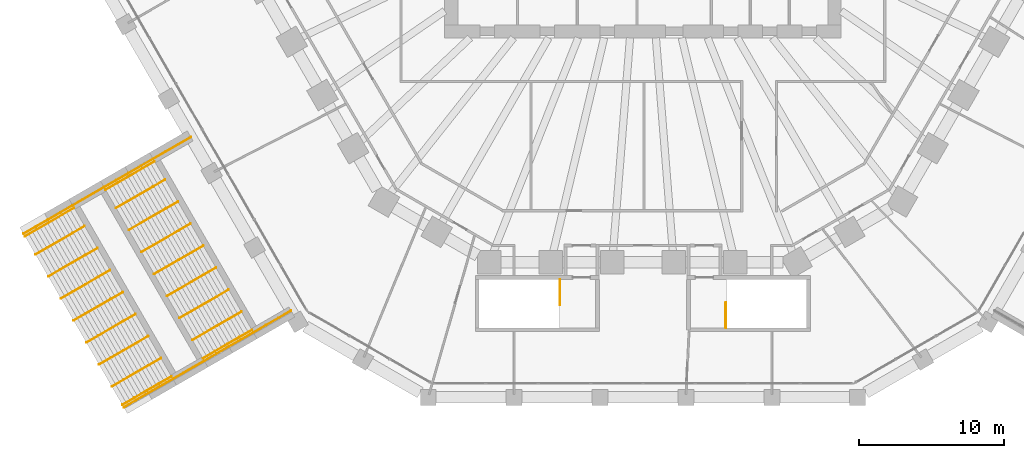
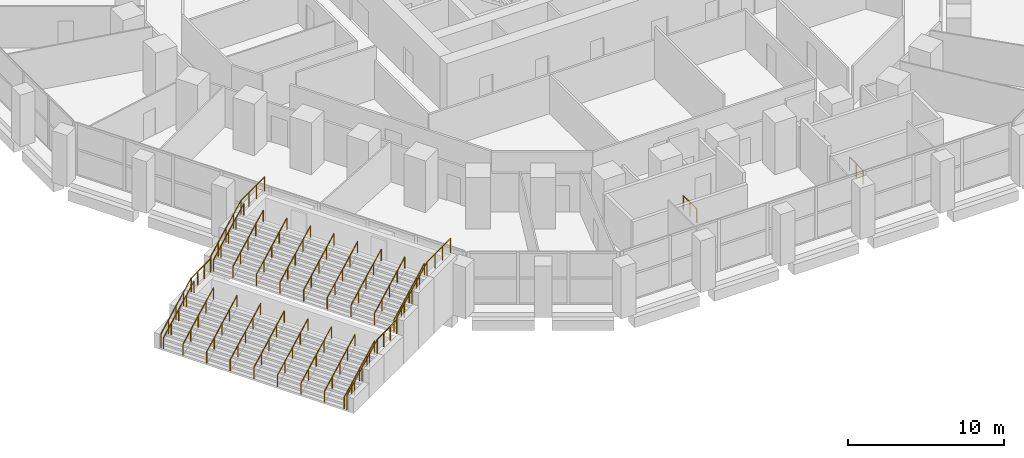
# One storey, part 32 of 38: 28 railings.
"""IFC4 building model written with IfcOpenShell, lengths in metres."""

from ifc_helpers import new_model, si_unit, direction, frame, origin, origin_2d, place, context, subcontext, project, spatial, circle, extrude, material, type_object, element, save


model = new_model("IFC4")

# Units and contexts
model_context = context("Model", 3, precision=1e-05, world=origin(), true_north=direction((0.0, 1.0)))
body_context = subcontext(model_context, "Body", "Model", "MODEL_VIEW")
ifc_project = project(units=[si_unit("LENGTHUNIT", "METRE"), si_unit("AREAUNIT", "SQUARE_METRE"), si_unit("VOLUMEUNIT", "CUBIC_METRE"), si_unit("PLANEANGLEUNIT", "RADIAN"), si_unit("MASSUNIT", "GRAM", prefix="KILO")], contexts=[model_context])

# Site, building, storey
site_placement = place(None, origin())
site = spatial("IfcSite", under=ifc_project, at=site_placement, CompositionType="ELEMENT")
building_placement = place(site_placement, origin())
building = spatial("IfcBuilding", under=site, at=building_placement, Name="Frailejon Research Tower", CompositionType="ELEMENT")
storey_placement = place(building_placement, frame((0.0, 0.0, 10.199951171875)))
storey = spatial("IfcBuildingStorey", under=building, at=storey_placement, Name="L02", CompositionType="ELEMENT", Elevation=10.199951171875)

# Railings
ifc_material_1 = material(Name="Galvanised steel balustrade", Category="steel")
railing_type_1 = type_object("IfcRailingType", Name="Broad stair guard 1100", PredefinedType="GUARDRAIL", material=ifc_material_1)
railing_1_placement = place(storey_placement, frame((-31.126953125, -18.086669921875, 4.400146484375)))
element("IfcRailing", 1, at=railing_1_placement, inside=storey, type_object=railing_type_1, Name="Broad stair W3 landing guard", PredefinedType="GUARDRAIL", context=body_context, shape_type="SweptSolid", body=[
    extrude(circle(Radius=0.02392578125, at=origin_2d()), frame((0.0, 0.0, 1.076171875), z_axis=(-0.866031096941, -0.499990139034, 0.0), x_axis=(0.499990139034, -0.866031096941, 0.0)), (0.0, 0.0, 1.0), 3.0),
    extrude(circle(Radius=0.02099609375, at=origin_2d()), origin(), (0.0, 0.0, 1.0), 1.052001953125),
    extrude(circle(Radius=0.02099609375, at=origin_2d()), frame((-0.865966796875, -0.5, 0.0)), (0.0, 0.0, 1.0), 1.052001953125),
    extrude(circle(Radius=0.02099609375, at=origin_2d()), frame((-1.732177734375, -1.0, 0.0)), (0.0, 0.0, 1.0), 1.052001953125),
    extrude(circle(Radius=0.02099609375, at=origin_2d()), frame((-2.59814453125, -1.5, 0.0)), (0.0, 0.0, 1.0), 1.052001953125),
])
railing_2_placement = place(storey_placement, frame((-37.1025390625, -21.53662109375, 2.199951171875)))
element("IfcRailing", 2, at=railing_2_placement, inside=storey, type_object=railing_type_1, Name="Broad stair W3 landing guard", PredefinedType="GUARDRAIL", context=body_context, shape_type="SweptSolid", body=[
    extrude(circle(Radius=0.02392578125, at=origin_2d()), frame((0.0, 0.0, 1.076171875), z_axis=(-0.866022959057, -0.500004234368, 0.0), x_axis=(0.500004234368, -0.866022959057, 0.0)), (0.0, 0.0, 1.0), 2.5),
    extrude(circle(Radius=0.02099609375, at=origin_2d()), origin(), (0.0, 0.0, 1.0), 1.052001953125),
    extrude(circle(Radius=0.02099609375, at=origin_2d()), frame((-0.7216796875, -0.416748046875, 0.0)), (0.0, 0.0, 1.0), 1.052001953125),
    extrude(circle(Radius=0.02099609375, at=origin_2d()), frame((-1.443359375, -0.833251953125, 0.0)), (0.0, 0.0, 1.0), 1.052001953125),
    extrude(circle(Radius=0.02099609375, at=origin_2d()), frame((-2.1650390625, -1.25, 0.0)), (0.0, 0.0, 1.0), 1.052001953125),
])
railing_3_placement = place(storey_placement, frame((-24.226806640625, -30.037841796875, 4.400146484375)))
element("IfcRailing", 3, at=railing_3_placement, inside=storey, type_object=railing_type_1, Name="Broad stair W3 landing guard", PredefinedType="GUARDRAIL", context=body_context, shape_type="SweptSolid", body=[
    extrude(circle(Radius=0.02392578125, at=origin_2d()), frame((0.0, 0.0, 1.076171875), z_axis=(-0.866031096941, -0.499990139034, 0.0), x_axis=(0.499990139034, -0.866031096941, 0.0)), (0.0, 0.0, 1.0), 3.0),
    extrude(circle(Radius=0.02099609375, at=origin_2d()), origin(), (0.0, 0.0, 1.0), 1.052001953125),
    extrude(circle(Radius=0.02099609375, at=origin_2d()), frame((-0.865966796875, -0.5, 0.0)), (0.0, 0.0, 1.0), 1.052001953125),
    extrude(circle(Radius=0.02099609375, at=origin_2d()), frame((-1.732177734375, -1.0, 0.0)), (0.0, 0.0, 1.0), 1.052001953125),
    extrude(circle(Radius=0.02099609375, at=origin_2d()), frame((-2.59814453125, -1.5, 0.0)), (0.0, 0.0, 1.0), 1.052001953125),
])
railing_4_placement = place(storey_placement, frame((-30.202392578125, -33.48779296875, 2.199951171875)))
element("IfcRailing", 4, at=railing_4_placement, inside=storey, type_object=railing_type_1, Name="Broad stair W3 landing guard", PredefinedType="GUARDRAIL", context=body_context, shape_type="SweptSolid", body=[
    extrude(circle(Radius=0.02392578125, at=origin_2d()), frame((0.0, 0.0, 1.076171875), z_axis=(-0.866047370643, -0.499961950354, 0.0), x_axis=(0.499961950354, -0.866047370643, 0.0)), (0.0, 0.0, 1.0), 2.500244140625),
    extrude(circle(Radius=0.02099609375, at=origin_2d()), origin(), (0.0, 0.0, 1.0), 1.052001953125),
    extrude(circle(Radius=0.02099609375, at=origin_2d()), frame((-0.7216796875, -0.416748046875, 0.0)), (0.0, 0.0, 1.0), 1.052001953125),
    extrude(circle(Radius=0.02099609375, at=origin_2d()), frame((-1.443603515625, -0.833251953125, 0.0)), (0.0, 0.0, 1.0), 1.052001953125),
    extrude(circle(Radius=0.02099609375, at=origin_2d()), frame((-2.165283203125, -1.25, 0.0)), (0.0, 0.0, 1.0), 1.052001953125),
])
railing_5_placement = place(storey_placement, frame((-37.1025390625, -21.53662109375, 2.357177734375)))
element("IfcRailing", 5, at=railing_5_placement, inside=storey, type_object=railing_type_1, Name="Broad stair W3 flight guard", PredefinedType="GUARDRAIL", context=body_context, shape_type="SweptSolid", body=[
    extrude(circle(Radius=0.02392578125, at=origin_2d()), frame((0.0, 0.0, 1.076171875), z_axis=(0.767141967579, 0.442906093325, 0.464033828589), x_axis=(-0.499997012787, 0.866027128446, 0.0)), (0.0, 0.0, 1.0), 4.402587890625),
    extrude(circle(Radius=0.02099609375, at=origin_2d()), origin(), (0.0, 0.0, 1.0), 1.052001953125),
    extrude(circle(Radius=0.02099609375, at=origin_2d()), frame((0.84423828125, 0.487548828125, 0.5107421875)), (0.0, 0.0, 1.0), 1.052001953125),
    extrude(circle(Radius=0.02099609375, at=origin_2d()), frame((1.688720703125, 0.97509765625, 1.021484375)), (0.0, 0.0, 1.0), 1.052001953125),
    extrude(circle(Radius=0.02099609375, at=origin_2d()), frame((2.533203125, 1.46240234375, 1.5322265625)), (0.0, 0.0, 1.0), 1.052001953125),
    extrude(circle(Radius=0.02099609375, at=origin_2d()), frame((3.37744140625, 1.949951171875, 2.04296875)), (0.0, 0.0, 1.0), 1.052001953125),
])
railing_6_placement = place(storey_placement, frame((-42.64501953125, -24.736572265625, 0.1572265625)))
element("IfcRailing", 6, at=railing_6_placement, inside=storey, type_object=railing_type_1, Name="Broad stair W3 flight guard", PredefinedType="GUARDRAIL", context=body_context, shape_type="SweptSolid", body=[
    extrude(circle(Radius=0.02392578125, at=origin_2d()), frame((0.0, 0.0, 1.076171875), z_axis=(0.767161707443, 0.44291749005, 0.463990314166), x_axis=(-0.499997012787, 0.866027128446, 0.0)), (0.0, 0.0, 1.0), 4.402587890625),
    extrude(circle(Radius=0.02099609375, at=origin_2d()), origin(), (0.0, 0.0, 1.0), 1.052001953125),
    extrude(circle(Radius=0.02099609375, at=origin_2d()), frame((0.84423828125, 0.487548828125, 0.5107421875)), (0.0, 0.0, 1.0), 1.052001953125),
    extrude(circle(Radius=0.02099609375, at=origin_2d()), frame((1.688720703125, 0.97509765625, 1.021484375)), (0.0, 0.0, 1.0), 1.052001953125),
    extrude(circle(Radius=0.02099609375, at=origin_2d()), frame((2.533203125, 1.46240234375, 1.531982421875)), (0.0, 0.0, 1.0), 1.052001953125),
    extrude(circle(Radius=0.02099609375, at=origin_2d()), frame((3.37744140625, 1.949951171875, 2.042724609375)), (0.0, 0.0, 1.0), 1.052001953125),
])
railing_7_placement = place(storey_placement, frame((-30.202392578125, -33.48779296875, 2.357177734375)))
element("IfcRailing", 7, at=railing_7_placement, inside=storey, type_object=railing_type_1, Name="Broad stair W3 flight guard", PredefinedType="GUARDRAIL", context=body_context, shape_type="SweptSolid", body=[
    extrude(circle(Radius=0.02392578125, at=origin_2d()), frame((0.0, 0.0, 1.076171875), z_axis=(0.767141967579, 0.442906093325, 0.464033828589), x_axis=(-0.499997012787, 0.866027128446, 0.0)), (0.0, 0.0, 1.0), 4.402587890625),
    extrude(circle(Radius=0.02099609375, at=origin_2d()), origin(), (0.0, 0.0, 1.0), 1.052001953125),
    extrude(circle(Radius=0.02099609375, at=origin_2d()), frame((0.84423828125, 0.487548828125, 0.5107421875)), (0.0, 0.0, 1.0), 1.052001953125),
    extrude(circle(Radius=0.02099609375, at=origin_2d()), frame((1.688720703125, 0.97509765625, 1.021484375)), (0.0, 0.0, 1.0), 1.052001953125),
    extrude(circle(Radius=0.02099609375, at=origin_2d()), frame((2.533203125, 1.46240234375, 1.5322265625)), (0.0, 0.0, 1.0), 1.052001953125),
    extrude(circle(Radius=0.02099609375, at=origin_2d()), frame((3.37744140625, 1.949951171875, 2.04296875)), (0.0, 0.0, 1.0), 1.052001953125),
])
railing_8_placement = place(storey_placement, frame((-35.7451171875, -36.687744140625, 0.1572265625)))
element("IfcRailing", 8, at=railing_8_placement, inside=storey, type_object=railing_type_1, Name="Broad stair W3 flight guard", PredefinedType="GUARDRAIL", context=body_context, shape_type="SweptSolid", body=[
    extrude(circle(Radius=0.02392578125, at=origin_2d()), frame((0.0, 0.0, 1.076171875), z_axis=(0.767161707443, 0.44291749005, 0.463990314166), x_axis=(-0.499997012787, 0.866027128446, 0.0)), (0.0, 0.0, 1.0), 4.402587890625),
    extrude(circle(Radius=0.02099609375, at=origin_2d()), origin(), (0.0, 0.0, 1.0), 1.052001953125),
    extrude(circle(Radius=0.02099609375, at=origin_2d()), frame((0.84423828125, 0.487548828125, 0.5107421875)), (0.0, 0.0, 1.0), 1.052001953125),
    extrude(circle(Radius=0.02099609375, at=origin_2d()), frame((1.688720703125, 0.97509765625, 1.021484375)), (0.0, 0.0, 1.0), 1.052001953125),
    extrude(circle(Radius=0.02099609375, at=origin_2d()), frame((2.533203125, 1.46240234375, 1.531982421875)), (0.0, 0.0, 1.0), 1.052001953125),
    extrude(circle(Radius=0.02099609375, at=origin_2d()), frame((3.37744140625, 1.949951171875, 2.042724609375)), (0.0, 0.0, 1.0), 1.052001953125),
])
ifc_material_2 = material(Name="Stainless steel handrail", Category="steel")
railing_type_2 = type_object("IfcRailingType", Name="Broad stair handrail", PredefinedType="HANDRAIL", material=ifc_material_2)
railing_9_placement = place(storey_placement, frame((-37.00244140625, -21.709716796875, 2.357177734375)))
element("IfcRailing", 9, at=railing_9_placement, inside=storey, type_object=railing_type_2, Name="Broad stair W3 flight handrail", PredefinedType="HANDRAIL", context=body_context, shape_type="SweptSolid", body=[
    extrude(circle(Radius=0.02392578125, at=origin_2d()), frame((0.0, 0.0, 0.8759765625), z_axis=(0.767141967579, 0.442906093325, 0.464033828589), x_axis=(-0.499997012787, 0.866027128446, 0.0)), (0.0, 0.0, 1.0), 4.402587890625),
    extrude(circle(Radius=0.02099609375, at=origin_2d()), origin(), (0.0, 0.0, 1.0), 0.851806640625),
    extrude(circle(Radius=0.02099609375, at=origin_2d()), frame((0.84423828125, 0.487548828125, 0.5107421875)), (0.0, 0.0, 1.0), 0.851806640625),
    extrude(circle(Radius=0.02099609375, at=origin_2d()), frame((1.688720703125, 0.97509765625, 1.021484375)), (0.0, 0.0, 1.0), 0.851806640625),
    extrude(circle(Radius=0.02099609375, at=origin_2d()), frame((2.533203125, 1.46240234375, 1.5322265625)), (0.0, 0.0, 1.0), 0.851806640625),
    extrude(circle(Radius=0.02099609375, at=origin_2d()), frame((3.37744140625, 1.949951171875, 2.04296875)), (0.0, 0.0, 1.0), 0.851806640625),
])
railing_10_placement = place(storey_placement, frame((-42.545166015625, -24.909912109375, 0.1572265625)))
element("IfcRailing", 10, at=railing_10_placement, inside=storey, type_object=railing_type_2, Name="Broad stair W3 flight handrail", PredefinedType="HANDRAIL", context=body_context, shape_type="SweptSolid", body=[
    extrude(circle(Radius=0.02392578125, at=origin_2d()), frame((0.0, 0.0, 0.8759765625), z_axis=(0.767165681189, 0.442943220913, 0.463959179943), x_axis=(-0.500016855088, 0.866015672276, 0.0)), (0.0, 0.0, 1.0), 4.40283203125),
    extrude(circle(Radius=0.02099609375, at=origin_2d()), origin(), (0.0, 0.0, 1.0), 0.851806640625),
    extrude(circle(Radius=0.02099609375, at=origin_2d()), frame((0.844482421875, 0.487548828125, 0.5107421875)), (0.0, 0.0, 1.0), 0.851806640625),
    extrude(circle(Radius=0.02099609375, at=origin_2d()), frame((1.68896484375, 0.97509765625, 1.021484375)), (0.0, 0.0, 1.0), 0.851806640625),
    extrude(circle(Radius=0.02099609375, at=origin_2d()), frame((2.533203125, 1.462646484375, 1.531982421875)), (0.0, 0.0, 1.0), 0.851806640625),
    extrude(circle(Radius=0.02099609375, at=origin_2d()), frame((3.377685546875, 1.9501953125, 2.042724609375)), (0.0, 0.0, 1.0), 0.851806640625),
])
railing_11_placement = place(storey_placement, frame((-36.277587890625, -22.965576171875, 2.357177734375)))
element("IfcRailing", 11, at=railing_11_placement, inside=storey, type_object=railing_type_2, Name="Broad stair W3 flight handrail", PredefinedType="HANDRAIL", context=body_context, shape_type="SweptSolid", body=[
    extrude(circle(Radius=0.02392578125, at=origin_2d()), frame((0.0, 0.0, 0.8759765625), z_axis=(0.767145943871, 0.442931825055, 0.464002693048), x_axis=(-0.500016855088, 0.866015672276, 0.0)), (0.0, 0.0, 1.0), 4.40283203125),
    extrude(circle(Radius=0.02099609375, at=origin_2d()), origin(), (0.0, 0.0, 1.0), 0.851806640625),
    extrude(circle(Radius=0.02099609375, at=origin_2d()), frame((0.844482421875, 0.487548828125, 0.5107421875)), (0.0, 0.0, 1.0), 0.851806640625),
    extrude(circle(Radius=0.02099609375, at=origin_2d()), frame((1.68896484375, 0.97509765625, 1.021484375)), (0.0, 0.0, 1.0), 0.851806640625),
    extrude(circle(Radius=0.02099609375, at=origin_2d()), frame((2.533203125, 1.462646484375, 1.5322265625)), (0.0, 0.0, 1.0), 0.851806640625),
    extrude(circle(Radius=0.02099609375, at=origin_2d()), frame((3.377685546875, 1.9501953125, 2.04296875)), (0.0, 0.0, 1.0), 0.851806640625),
])
railing_12_placement = place(storey_placement, frame((-41.820068359375, -26.16552734375, 0.1572265625)))
element("IfcRailing", 12, at=railing_12_placement, inside=storey, type_object=railing_type_2, Name="Broad stair W3 flight handrail", PredefinedType="HANDRAIL", context=body_context, shape_type="SweptSolid", body=[
    extrude(circle(Radius=0.02392578125, at=origin_2d()), frame((0.0, 0.0, 0.8759765625), z_axis=(0.767161707443, 0.44291749005, 0.463990314166), x_axis=(-0.499997012787, 0.866027128446, 0.0)), (0.0, 0.0, 1.0), 4.402587890625),
    extrude(circle(Radius=0.02099609375, at=origin_2d()), origin(), (0.0, 0.0, 1.0), 0.851806640625),
    extrude(circle(Radius=0.02099609375, at=origin_2d()), frame((0.84423828125, 0.487548828125, 0.5107421875)), (0.0, 0.0, 1.0), 0.851806640625),
    extrude(circle(Radius=0.02099609375, at=origin_2d()), frame((1.688720703125, 0.97509765625, 1.021484375)), (0.0, 0.0, 1.0), 0.851806640625),
    extrude(circle(Radius=0.02099609375, at=origin_2d()), frame((2.533203125, 1.46240234375, 1.531982421875)), (0.0, 0.0, 1.0), 0.851806640625),
    extrude(circle(Radius=0.02099609375, at=origin_2d()), frame((3.37744140625, 1.949951171875, 2.042724609375)), (0.0, 0.0, 1.0), 0.851806640625),
])
railing_13_placement = place(storey_placement, frame((-35.402587890625, -24.481201171875, 2.357177734375)))
element("IfcRailing", 13, at=railing_13_placement, inside=storey, type_object=railing_type_2, Name="Broad stair W3 flight handrail", PredefinedType="HANDRAIL", context=body_context, shape_type="SweptSolid", body=[
    extrude(circle(Radius=0.02392578125, at=origin_2d()), frame((0.0, 0.0, 0.8759765625), z_axis=(0.767145943871, 0.442931825055, 0.464002693048), x_axis=(-0.500016855088, 0.866015672276, 0.0)), (0.0, 0.0, 1.0), 4.40283203125),
    extrude(circle(Radius=0.02099609375, at=origin_2d()), origin(), (0.0, 0.0, 1.0), 0.851806640625),
    extrude(circle(Radius=0.02099609375, at=origin_2d()), frame((0.844482421875, 0.487548828125, 0.5107421875)), (0.0, 0.0, 1.0), 0.851806640625),
    extrude(circle(Radius=0.02099609375, at=origin_2d()), frame((1.68896484375, 0.97509765625, 1.021484375)), (0.0, 0.0, 1.0), 0.851806640625),
    extrude(circle(Radius=0.02099609375, at=origin_2d()), frame((2.533203125, 1.462646484375, 1.5322265625)), (0.0, 0.0, 1.0), 0.851806640625),
    extrude(circle(Radius=0.02099609375, at=origin_2d()), frame((3.377685546875, 1.9501953125, 2.04296875)), (0.0, 0.0, 1.0), 0.851806640625),
])
railing_14_placement = place(storey_placement, frame((-40.945068359375, -27.68115234375, 0.1572265625)))
element("IfcRailing", 14, at=railing_14_placement, inside=storey, type_object=railing_type_2, Name="Broad stair W3 flight handrail", PredefinedType="HANDRAIL", context=body_context, shape_type="SweptSolid", body=[
    extrude(circle(Radius=0.02392578125, at=origin_2d()), frame((0.0, 0.0, 0.8759765625), z_axis=(0.767161707443, 0.44291749005, 0.463990314166), x_axis=(-0.499997012787, 0.866027128446, 0.0)), (0.0, 0.0, 1.0), 4.402587890625),
    extrude(circle(Radius=0.02099609375, at=origin_2d()), origin(), (0.0, 0.0, 1.0), 0.851806640625),
    extrude(circle(Radius=0.02099609375, at=origin_2d()), frame((0.84423828125, 0.487548828125, 0.5107421875)), (0.0, 0.0, 1.0), 0.851806640625),
    extrude(circle(Radius=0.02099609375, at=origin_2d()), frame((1.688720703125, 0.97509765625, 1.021484375)), (0.0, 0.0, 1.0), 0.851806640625),
    extrude(circle(Radius=0.02099609375, at=origin_2d()), frame((2.533203125, 1.46240234375, 1.531982421875)), (0.0, 0.0, 1.0), 0.851806640625),
    extrude(circle(Radius=0.02099609375, at=origin_2d()), frame((3.37744140625, 1.949951171875, 2.042724609375)), (0.0, 0.0, 1.0), 0.851806640625),
])
railing_15_placement = place(storey_placement, frame((-34.527587890625, -25.99658203125, 2.357177734375)))
element("IfcRailing", 15, at=railing_15_placement, inside=storey, type_object=railing_type_2, Name="Broad stair W3 flight handrail", PredefinedType="HANDRAIL", context=body_context, shape_type="SweptSolid", body=[
    extrude(circle(Radius=0.02392578125, at=origin_2d()), frame((0.0, 0.0, 0.8759765625), z_axis=(0.767164784809, 0.442887252351, 0.464014088853), x_axis=(-0.499969906938, 0.866042777325, 0.0)), (0.0, 0.0, 1.0), 4.40283203125),
    extrude(circle(Radius=0.02099609375, at=origin_2d()), origin(), (0.0, 0.0, 1.0), 0.851806640625),
    extrude(circle(Radius=0.02099609375, at=origin_2d()), frame((0.844482421875, 0.487548828125, 0.5107421875)), (0.0, 0.0, 1.0), 0.851806640625),
    extrude(circle(Radius=0.02099609375, at=origin_2d()), frame((1.68896484375, 0.97509765625, 1.021484375)), (0.0, 0.0, 1.0), 0.851806640625),
    extrude(circle(Radius=0.02099609375, at=origin_2d()), frame((2.533203125, 1.46240234375, 1.5322265625)), (0.0, 0.0, 1.0), 0.851806640625),
    extrude(circle(Radius=0.02099609375, at=origin_2d()), frame((3.377685546875, 1.949951171875, 2.04296875)), (0.0, 0.0, 1.0), 0.851806640625),
])
railing_16_placement = place(storey_placement, frame((-40.070068359375, -29.196533203125, 0.1572265625)))
element("IfcRailing", 16, at=railing_16_placement, inside=storey, type_object=railing_type_2, Name="Broad stair W3 flight handrail", PredefinedType="HANDRAIL", context=body_context, shape_type="SweptSolid", body=[
    extrude(circle(Radius=0.02392578125, at=origin_2d()), frame((0.0, 0.0, 0.8759765625), z_axis=(0.767161707443, 0.44291749005, 0.463990314166), x_axis=(-0.499997012787, 0.866027128446, 0.0)), (0.0, 0.0, 1.0), 4.402587890625),
    extrude(circle(Radius=0.02099609375, at=origin_2d()), origin(), (0.0, 0.0, 1.0), 0.851806640625),
    extrude(circle(Radius=0.02099609375, at=origin_2d()), frame((0.84423828125, 0.487548828125, 0.5107421875)), (0.0, 0.0, 1.0), 0.851806640625),
    extrude(circle(Radius=0.02099609375, at=origin_2d()), frame((1.688720703125, 0.97509765625, 1.021484375)), (0.0, 0.0, 1.0), 0.851806640625),
    extrude(circle(Radius=0.02099609375, at=origin_2d()), frame((2.533203125, 1.46240234375, 1.531982421875)), (0.0, 0.0, 1.0), 0.851806640625),
    extrude(circle(Radius=0.02099609375, at=origin_2d()), frame((3.37744140625, 1.949951171875, 2.042724609375)), (0.0, 0.0, 1.0), 0.851806640625),
])
railing_17_placement = place(storey_placement, frame((-33.652587890625, -27.51220703125, 2.357177734375)))
element("IfcRailing", 17, at=railing_17_placement, inside=storey, type_object=railing_type_2, Name="Broad stair W3 flight handrail", PredefinedType="HANDRAIL", context=body_context, shape_type="SweptSolid", body=[
    extrude(circle(Radius=0.02392578125, at=origin_2d()), frame((0.0, 0.0, 0.8759765625), z_axis=(0.767164784809, 0.442887252351, 0.464014088853), x_axis=(-0.499969906938, 0.866042777325, 0.0)), (0.0, 0.0, 1.0), 4.40283203125),
    extrude(circle(Radius=0.02099609375, at=origin_2d()), origin(), (0.0, 0.0, 1.0), 0.851806640625),
    extrude(circle(Radius=0.02099609375, at=origin_2d()), frame((0.844482421875, 0.487548828125, 0.5107421875)), (0.0, 0.0, 1.0), 0.851806640625),
    extrude(circle(Radius=0.02099609375, at=origin_2d()), frame((1.68896484375, 0.97509765625, 1.021484375)), (0.0, 0.0, 1.0), 0.851806640625),
    extrude(circle(Radius=0.02099609375, at=origin_2d()), frame((2.533203125, 1.46240234375, 1.5322265625)), (0.0, 0.0, 1.0), 0.851806640625),
    extrude(circle(Radius=0.02099609375, at=origin_2d()), frame((3.377685546875, 1.949951171875, 2.04296875)), (0.0, 0.0, 1.0), 0.851806640625),
])
railing_18_placement = place(storey_placement, frame((-39.195068359375, -30.712158203125, 0.1572265625)))
element("IfcRailing", 18, at=railing_18_placement, inside=storey, type_object=railing_type_2, Name="Broad stair W3 flight handrail", PredefinedType="HANDRAIL", context=body_context, shape_type="SweptSolid", body=[
    extrude(circle(Radius=0.02392578125, at=origin_2d()), frame((0.0, 0.0, 0.8759765625), z_axis=(0.767161707443, 0.44291749005, 0.463990314166), x_axis=(-0.499997012787, 0.866027128446, 0.0)), (0.0, 0.0, 1.0), 4.402587890625),
    extrude(circle(Radius=0.02099609375, at=origin_2d()), origin(), (0.0, 0.0, 1.0), 0.851806640625),
    extrude(circle(Radius=0.02099609375, at=origin_2d()), frame((0.84423828125, 0.487548828125, 0.5107421875)), (0.0, 0.0, 1.0), 0.851806640625),
    extrude(circle(Radius=0.02099609375, at=origin_2d()), frame((1.688720703125, 0.97509765625, 1.021484375)), (0.0, 0.0, 1.0), 0.851806640625),
    extrude(circle(Radius=0.02099609375, at=origin_2d()), frame((2.533203125, 1.46240234375, 1.531982421875)), (0.0, 0.0, 1.0), 0.851806640625),
    extrude(circle(Radius=0.02099609375, at=origin_2d()), frame((3.37744140625, 1.949951171875, 2.042724609375)), (0.0, 0.0, 1.0), 0.851806640625),
])
railing_19_placement = place(storey_placement, frame((-32.777587890625, -29.027587890625, 2.357177734375)))
element("IfcRailing", 19, at=railing_19_placement, inside=storey, type_object=railing_type_2, Name="Broad stair W3 flight handrail", PredefinedType="HANDRAIL", context=body_context, shape_type="SweptSolid", body=[
    extrude(circle(Radius=0.02392578125, at=origin_2d()), frame((0.0, 0.0, 0.8759765625), z_axis=(0.767164784809, 0.442887252351, 0.464014088853), x_axis=(-0.499969906938, 0.866042777325, 0.0)), (0.0, 0.0, 1.0), 4.40283203125),
    extrude(circle(Radius=0.02099609375, at=origin_2d()), origin(), (0.0, 0.0, 1.0), 0.851806640625),
    extrude(circle(Radius=0.02099609375, at=origin_2d()), frame((0.844482421875, 0.487548828125, 0.5107421875)), (0.0, 0.0, 1.0), 0.851806640625),
    extrude(circle(Radius=0.02099609375, at=origin_2d()), frame((1.68896484375, 0.97509765625, 1.021484375)), (0.0, 0.0, 1.0), 0.851806640625),
    extrude(circle(Radius=0.02099609375, at=origin_2d()), frame((2.533203125, 1.46240234375, 1.5322265625)), (0.0, 0.0, 1.0), 0.851806640625),
    extrude(circle(Radius=0.02099609375, at=origin_2d()), frame((3.377685546875, 1.949951171875, 2.04296875)), (0.0, 0.0, 1.0), 0.851806640625),
])
railing_20_placement = place(storey_placement, frame((-38.320068359375, -32.227783203125, 0.1572265625)))
element("IfcRailing", 20, at=railing_20_placement, inside=storey, type_object=railing_type_2, Name="Broad stair W3 flight handrail", PredefinedType="HANDRAIL", context=body_context, shape_type="SweptSolid", body=[
    extrude(circle(Radius=0.02392578125, at=origin_2d()), frame((0.0, 0.0, 0.8759765625), z_axis=(0.767142864008, 0.442962064312, 0.463978917389), x_axis=(-0.500043961785, 0.866000020948, 0.0)), (0.0, 0.0, 1.0), 4.402587890625),
    extrude(circle(Radius=0.02099609375, at=origin_2d()), origin(), (0.0, 0.0, 1.0), 0.851806640625),
    extrude(circle(Radius=0.02099609375, at=origin_2d()), frame((0.84423828125, 0.487548828125, 0.5107421875)), (0.0, 0.0, 1.0), 0.851806640625),
    extrude(circle(Radius=0.02099609375, at=origin_2d()), frame((1.688720703125, 0.97509765625, 1.021484375)), (0.0, 0.0, 1.0), 0.851806640625),
    extrude(circle(Radius=0.02099609375, at=origin_2d()), frame((2.533203125, 1.462646484375, 1.531982421875)), (0.0, 0.0, 1.0), 0.851806640625),
    extrude(circle(Radius=0.02099609375, at=origin_2d()), frame((3.37744140625, 1.9501953125, 2.042724609375)), (0.0, 0.0, 1.0), 0.851806640625),
])
railing_21_placement = place(storey_placement, frame((-31.902587890625, -30.543212890625, 2.357177734375)))
element("IfcRailing", 21, at=railing_21_placement, inside=storey, type_object=railing_type_2, Name="Broad stair W3 flight handrail", PredefinedType="HANDRAIL", context=body_context, shape_type="SweptSolid", body=[
    extrude(circle(Radius=0.02392578125, at=origin_2d()), frame((0.0, 0.0, 0.8759765625), z_axis=(0.767164784809, 0.442887252351, 0.464014088853), x_axis=(-0.499969906938, 0.866042777325, 0.0)), (0.0, 0.0, 1.0), 4.40283203125),
    extrude(circle(Radius=0.02099609375, at=origin_2d()), origin(), (0.0, 0.0, 1.0), 0.851806640625),
    extrude(circle(Radius=0.02099609375, at=origin_2d()), frame((0.844482421875, 0.487548828125, 0.5107421875)), (0.0, 0.0, 1.0), 0.851806640625),
    extrude(circle(Radius=0.02099609375, at=origin_2d()), frame((1.68896484375, 0.97509765625, 1.021484375)), (0.0, 0.0, 1.0), 0.851806640625),
    extrude(circle(Radius=0.02099609375, at=origin_2d()), frame((2.533203125, 1.46240234375, 1.5322265625)), (0.0, 0.0, 1.0), 0.851806640625),
    extrude(circle(Radius=0.02099609375, at=origin_2d()), frame((3.377685546875, 1.949951171875, 2.04296875)), (0.0, 0.0, 1.0), 0.851806640625),
])
railing_22_placement = place(storey_placement, frame((-37.445068359375, -33.743408203125, 0.1572265625)))
element("IfcRailing", 22, at=railing_22_placement, inside=storey, type_object=railing_type_2, Name="Broad stair W3 flight handrail", PredefinedType="HANDRAIL", context=body_context, shape_type="SweptSolid", body=[
    extrude(circle(Radius=0.02392578125, at=origin_2d()), frame((0.0, 0.0, 0.8759765625), z_axis=(0.767142864008, 0.442962064312, 0.463978917389), x_axis=(-0.500043961785, 0.866000020948, 0.0)), (0.0, 0.0, 1.0), 4.402587890625),
    extrude(circle(Radius=0.02099609375, at=origin_2d()), origin(), (0.0, 0.0, 1.0), 0.851806640625),
    extrude(circle(Radius=0.02099609375, at=origin_2d()), frame((0.84423828125, 0.487548828125, 0.5107421875)), (0.0, 0.0, 1.0), 0.851806640625),
    extrude(circle(Radius=0.02099609375, at=origin_2d()), frame((1.688720703125, 0.97509765625, 1.021484375)), (0.0, 0.0, 1.0), 0.851806640625),
    extrude(circle(Radius=0.02099609375, at=origin_2d()), frame((2.533203125, 1.462646484375, 1.531982421875)), (0.0, 0.0, 1.0), 0.851806640625),
    extrude(circle(Radius=0.02099609375, at=origin_2d()), frame((3.37744140625, 1.9501953125, 2.042724609375)), (0.0, 0.0, 1.0), 0.851806640625),
])
railing_23_placement = place(storey_placement, frame((-31.027587890625, -32.058837890625, 2.357177734375)))
element("IfcRailing", 23, at=railing_23_placement, inside=storey, type_object=railing_type_2, Name="Broad stair W3 flight handrail", PredefinedType="HANDRAIL", context=body_context, shape_type="SweptSolid", body=[
    extrude(circle(Radius=0.02392578125, at=origin_2d()), frame((0.0, 0.0, 0.8759765625), z_axis=(0.767164784809, 0.442887252351, 0.464014088853), x_axis=(-0.499969906938, 0.866042777325, 0.0)), (0.0, 0.0, 1.0), 4.40283203125),
    extrude(circle(Radius=0.02099609375, at=origin_2d()), origin(), (0.0, 0.0, 1.0), 0.851806640625),
    extrude(circle(Radius=0.02099609375, at=origin_2d()), frame((0.844482421875, 0.487548828125, 0.5107421875)), (0.0, 0.0, 1.0), 0.851806640625),
    extrude(circle(Radius=0.02099609375, at=origin_2d()), frame((1.68896484375, 0.97509765625, 1.021484375)), (0.0, 0.0, 1.0), 0.851806640625),
    extrude(circle(Radius=0.02099609375, at=origin_2d()), frame((2.533203125, 1.46240234375, 1.5322265625)), (0.0, 0.0, 1.0), 0.851806640625),
    extrude(circle(Radius=0.02099609375, at=origin_2d()), frame((3.377685546875, 1.949951171875, 2.04296875)), (0.0, 0.0, 1.0), 0.851806640625),
])
railing_24_placement = place(storey_placement, frame((-36.570068359375, -35.2587890625, 0.1572265625)))
element("IfcRailing", 24, at=railing_24_placement, inside=storey, type_object=railing_type_2, Name="Broad stair W3 flight handrail", PredefinedType="HANDRAIL", context=body_context, shape_type="SweptSolid", body=[
    extrude(circle(Radius=0.02392578125, at=origin_2d()), frame((0.0, 0.0, 0.8759765625), z_axis=(0.767161707443, 0.44291749005, 0.463990314166), x_axis=(-0.499997012787, 0.866027128446, 0.0)), (0.0, 0.0, 1.0), 4.402587890625),
    extrude(circle(Radius=0.02099609375, at=origin_2d()), origin(), (0.0, 0.0, 1.0), 0.851806640625),
    extrude(circle(Radius=0.02099609375, at=origin_2d()), frame((0.84423828125, 0.487548828125, 0.5107421875)), (0.0, 0.0, 1.0), 0.851806640625),
    extrude(circle(Radius=0.02099609375, at=origin_2d()), frame((1.688720703125, 0.97509765625, 1.021484375)), (0.0, 0.0, 1.0), 0.851806640625),
    extrude(circle(Radius=0.02099609375, at=origin_2d()), frame((2.533203125, 1.46240234375, 1.531982421875)), (0.0, 0.0, 1.0), 0.851806640625),
    extrude(circle(Radius=0.02099609375, at=origin_2d()), frame((3.37744140625, 1.949951171875, 2.042724609375)), (0.0, 0.0, 1.0), 0.851806640625),
])
railing_25_placement = place(storey_placement, frame((-30.302490234375, -33.314453125, 2.357177734375)))
element("IfcRailing", 25, at=railing_25_placement, inside=storey, type_object=railing_type_2, Name="Broad stair W3 flight handrail", PredefinedType="HANDRAIL", context=body_context, shape_type="SweptSolid", body=[
    extrude(circle(Radius=0.02392578125, at=origin_2d()), frame((0.0, 0.0, 0.8759765625), z_axis=(0.767141967579, 0.442906093325, 0.464033828589), x_axis=(-0.499997012787, 0.866027128446, 0.0)), (0.0, 0.0, 1.0), 4.402587890625),
    extrude(circle(Radius=0.02099609375, at=origin_2d()), origin(), (0.0, 0.0, 1.0), 0.851806640625),
    extrude(circle(Radius=0.02099609375, at=origin_2d()), frame((0.84423828125, 0.487548828125, 0.5107421875)), (0.0, 0.0, 1.0), 0.851806640625),
    extrude(circle(Radius=0.02099609375, at=origin_2d()), frame((1.688720703125, 0.97509765625, 1.021484375)), (0.0, 0.0, 1.0), 0.851806640625),
    extrude(circle(Radius=0.02099609375, at=origin_2d()), frame((2.533203125, 1.46240234375, 1.5322265625)), (0.0, 0.0, 1.0), 0.851806640625),
    extrude(circle(Radius=0.02099609375, at=origin_2d()), frame((3.37744140625, 1.949951171875, 2.04296875)), (0.0, 0.0, 1.0), 0.851806640625),
])
railing_26_placement = place(storey_placement, frame((-35.84521484375, -36.514404296875, 0.1572265625)))
element("IfcRailing", 26, at=railing_26_placement, inside=storey, type_object=railing_type_2, Name="Broad stair W3 flight handrail", PredefinedType="HANDRAIL", context=body_context, shape_type="SweptSolid", body=[
    extrude(circle(Radius=0.02392578125, at=origin_2d()), frame((0.0, 0.0, 0.8759765625), z_axis=(0.767184523581, 0.442898647621, 0.463970575266), x_axis=(-0.499969906938, 0.866042777325, 0.0)), (0.0, 0.0, 1.0), 4.402587890625),
    extrude(circle(Radius=0.02099609375, at=origin_2d()), origin(), (0.0, 0.0, 1.0), 0.851806640625),
    extrude(circle(Radius=0.02099609375, at=origin_2d()), frame((0.844482421875, 0.487548828125, 0.5107421875)), (0.0, 0.0, 1.0), 0.851806640625),
    extrude(circle(Radius=0.02099609375, at=origin_2d()), frame((1.68896484375, 0.97509765625, 1.021484375)), (0.0, 0.0, 1.0), 0.851806640625),
    extrude(circle(Radius=0.02099609375, at=origin_2d()), frame((2.533203125, 1.46240234375, 1.531982421875)), (0.0, 0.0, 1.0), 0.851806640625),
    extrude(circle(Radius=0.02099609375, at=origin_2d()), frame((3.377685546875, 1.949951171875, 2.042724609375)), (0.0, 0.0, 1.0), 0.851806640625),
])
ifc_material_3 = material(Name="Stainless steel", Category="steel")
railing_type_3 = type_object("IfcRailingType", Name="Stair guard 1100", PredefinedType="GUARDRAIL", material=ifc_material_3)
railing_27_placement = place(storey_placement, frame((-5.70703125, -27.875, 0.0)))
element("IfcRailing", 27, at=railing_27_placement, inside=storey, type_object=railing_type_3, Name="L02 PS3 top well guard 1", PredefinedType="GUARDRAIL", context=body_context, shape_type="SweptSolid", body=[
    extrude(circle(Radius=0.02392578125, at=origin_2d()), frame((0.0, 0.0, 1.076171875), z_axis=(0.0, -1.0, 0.0), x_axis=(1.0, 0.0, 0.0)), (0.0, 0.0, 1.0), 1.75),
    extrude(circle(Radius=0.02099609375, at=origin_2d()), origin(), (0.0, 0.0, 1.0), 1.052001953125),
    extrude(circle(Radius=0.02099609375, at=origin_2d()), frame((0.0, -0.875, 0.0)), (0.0, 0.0, 1.0), 1.052001953125),
    extrude(circle(Radius=0.02099609375, at=origin_2d()), frame((0.0, -1.75, 0.0)), (0.0, 0.0, 1.0), 1.052001953125),
])
railing_28_placement = place(storey_placement, frame((5.70703125, -31.22509765625, 0.0)))
element("IfcRailing", 28, at=railing_28_placement, inside=storey, type_object=railing_type_3, Name="L02 PS4 top well guard 1", PredefinedType="GUARDRAIL", context=body_context, shape_type="SweptSolid", body=[
    extrude(circle(Radius=0.02392578125, at=origin_2d()), frame((0.0, 0.0, 1.076171875), z_axis=(0.0, 1.0, 0.0), x_axis=(-1.0, 0.0, 0.0)), (0.0, 0.0, 1.0), 1.75),
    extrude(circle(Radius=0.02099609375, at=origin_2d()), origin(), (0.0, 0.0, 1.0), 1.052001953125),
    extrude(circle(Radius=0.02099609375, at=origin_2d()), frame((0.0, 0.875, 0.0)), (0.0, 0.0, 1.0), 1.052001953125),
    extrude(circle(Radius=0.02099609375, at=origin_2d()), frame((0.0, 1.75, 0.0)), (0.0, 0.0, 1.0), 1.052001953125),
])

save(model, "model.ifc")
